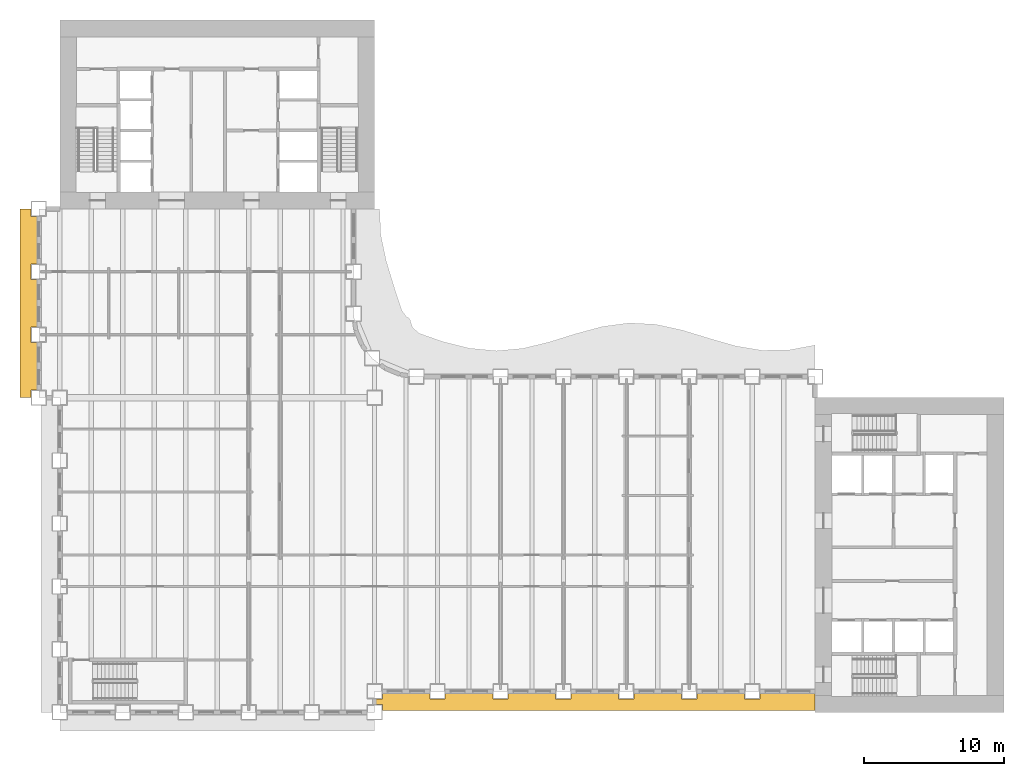
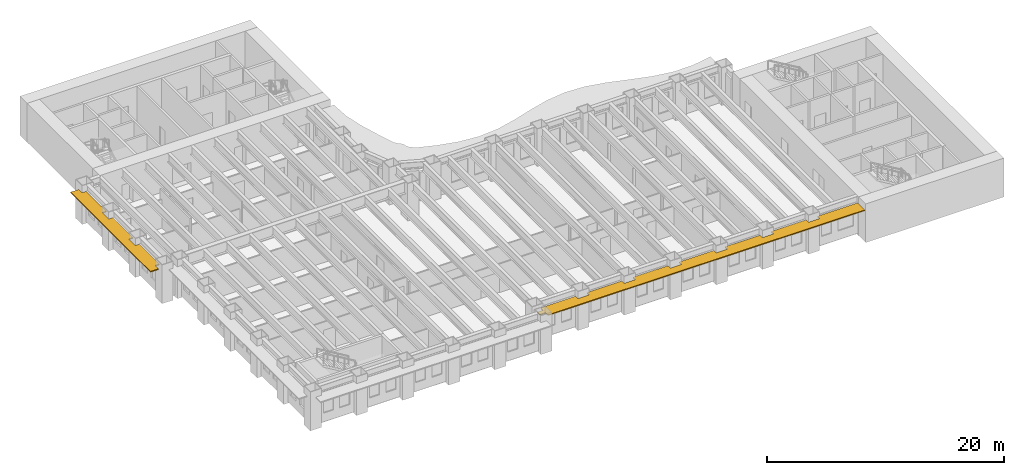
# One storey, part 11 of 15: 2 shading devices.
"""IFC4 building model written with IfcOpenShell, lengths in metres."""

from ifc_helpers import new_model, si_unit, direction, frame, origin, place, context, subcontext, project, spatial, polyline, outline, extrude, material, layer, layer_set, type_object, element, save


model = new_model("IFC4")

# Units and contexts
model_context = context("Model", 3, precision=1e-05, world=origin(), true_north=direction((0.0, 1.0)))
body_context = subcontext(model_context, "Body", "Model", "MODEL_VIEW")
ifc_project = project(units=[si_unit("LENGTHUNIT", "METRE"), si_unit("AREAUNIT", "SQUARE_METRE"), si_unit("VOLUMEUNIT", "CUBIC_METRE"), si_unit("PLANEANGLEUNIT", "RADIAN"), si_unit("MASSUNIT", "GRAM", prefix="KILO")], contexts=[model_context])

# Site, building, storey
site_placement = place(None, origin())
site = spatial("IfcSite", under=ifc_project, at=site_placement, CompositionType="ELEMENT")
building_placement = place(site_placement, origin())
building = spatial("IfcBuilding", under=site, at=building_placement, Name="Sennacour Bend Tower", CompositionType="ELEMENT")
storey_placement = place(building_placement, frame((0.0, 0.0, 61.0)))
storey = spatial("IfcBuildingStorey", under=building, at=storey_placement, Name="L13", CompositionType="ELEMENT", Elevation=61.0)

# Shading devices
ifc_material = material(Name="Bronze anodised aluminium", Category="aluminium")
ifc_layer = layer(ifc_material, 0.10009765625, Name="Bronze anodised aluminium", Category="aluminium")
ifc_layer_set = layer_set([ifc_layer], Name="Bronze anodised aluminium")
shading_device_type = type_object("IfcShadingDeviceType", Name="SUNSHADE BAND STRAIGHT", PredefinedType="USERDEFINED", material=ifc_layer_set)
shading_device_1_placement = place(storey_placement, frame((0.0, 0.0, 3.0439453125)))
element("IfcShadingDevice", 1, at=shading_device_1_placement, inside=storey, type_object=shading_device_type, Name="Sunshade band L13 A outer face", ObjectType="SUNSHADE", PredefinedType="USERDEFINED", context=body_context, shape_type="SweptSolid", body=[
    extrude(outline(polyline([(26.449951171875, 1.35009765625), (26.449951171875, 0.949951171875), (27.550048828125, 0.949951171875), (27.550048828125, 1.35009765625), (30.949951171875, 1.35009765625), (30.949951171875, 0.949951171875), (32.050048828125, 0.949951171875), (32.050048828125, 1.35009765625), (35.449951171875, 1.35009765625), (35.449951171875, 0.949951171875), (36.550048828125, 0.949951171875), (36.550048828125, 1.35009765625), (39.949951171875, 1.35009765625), (39.949951171875, 0.949951171875), (41.050048828125, 0.949951171875), (41.050048828125, 1.35009765625), (44.449951171875, 1.35009765625), (44.449951171875, 0.949951171875), (45.550048828125, 0.949951171875), (45.550048828125, 1.35009765625), (48.949951171875, 1.35009765625), (48.949951171875, 0.949951171875), (50.050048828125, 0.949951171875), (50.050048828125, 1.35009765625), (54.0, 1.35009765625), (54.0, 0.14990234375), (23.050048828125, 0.14990234375), (23.050048828125, 0.550048828125), (22.5, 0.550048828125), (22.5, 0.949951171875), (23.050048828125, 0.949951171875), (23.050048828125, 1.35009765625), (26.449951171875, 1.35009765625)])), origin(), (0.0, 0.0, 1.0), 0.10009765625),
])
shading_device_2_placement = place(storey_placement, frame((0.0, 0.0, 3.0439453125)))
element("IfcShadingDevice", 2, at=shading_device_2_placement, inside=storey, type_object=shading_device_type, Name="Sunshade band L13 B outer face", ObjectType="SUNSHADE", PredefinedType="USERDEFINED", context=body_context, shape_type="SweptSolid", body=[
    extrude(outline(polyline([(-1.64990234375, 32.050048828125), (-2.050048828125, 32.050048828125), (-2.050048828125, 30.949951171875), (-1.64990234375, 30.949951171875), (-1.64990234375, 27.550048828125), (-2.050048828125, 27.550048828125), (-2.050048828125, 26.449951171875), (-1.64990234375, 26.449951171875), (-1.64990234375, 23.050048828125), (-2.050048828125, 23.050048828125), (-2.050048828125, 22.5), (-2.85009765625, 22.5), (-2.85009765625, 36.0), (-2.050048828125, 36.0), (-2.050048828125, 35.449951171875), (-1.64990234375, 35.449951171875), (-1.64990234375, 32.050048828125)])), origin(), (0.0, 0.0, 1.0), 0.10009765625),
])

save(model, "model.ifc")
